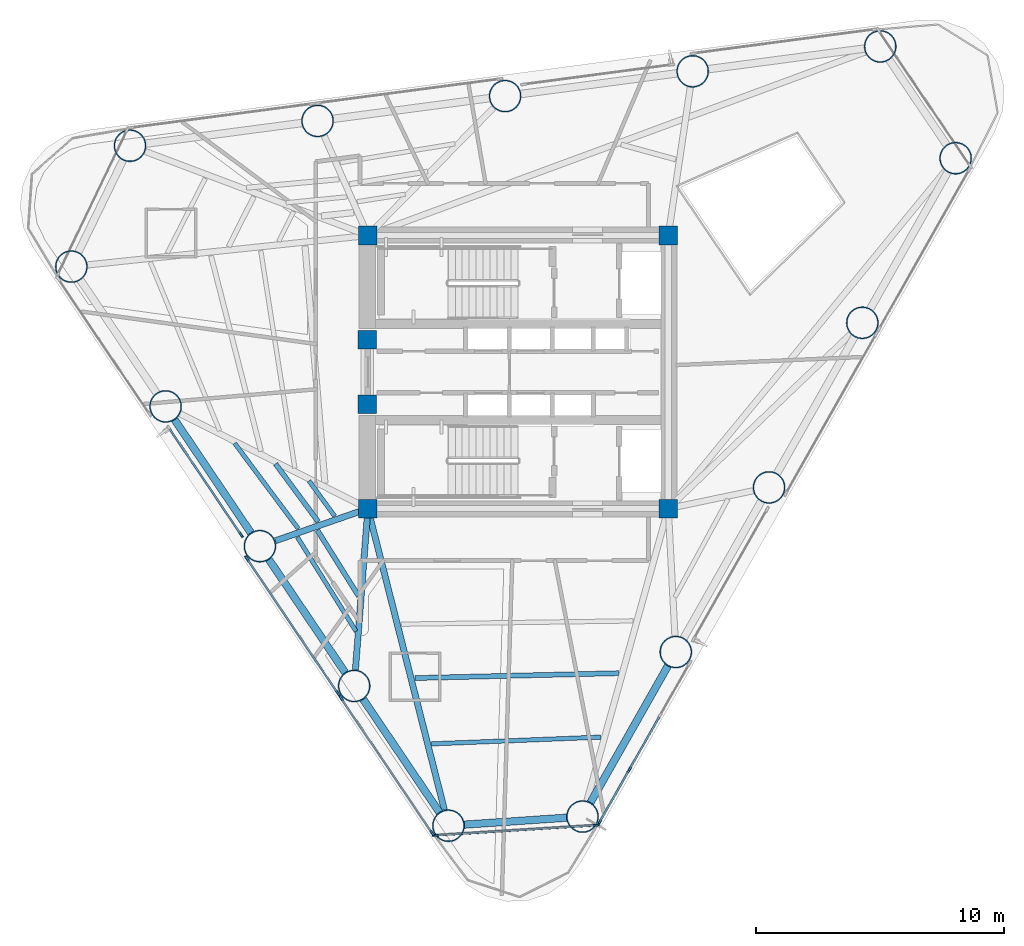
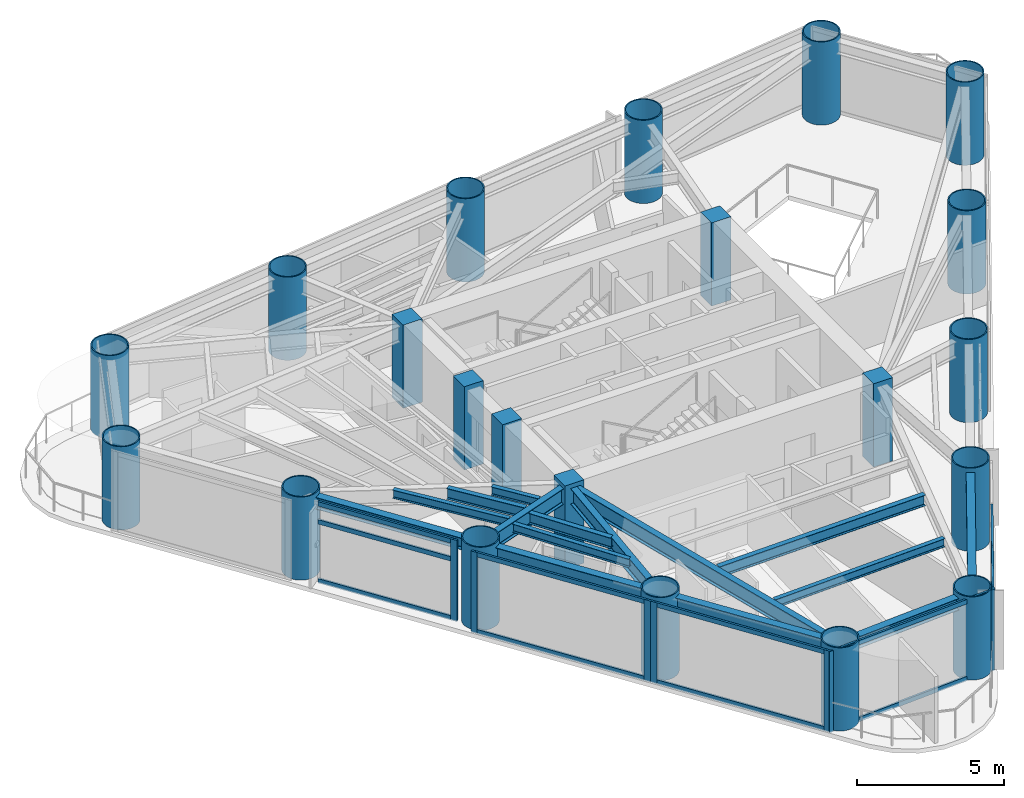
# One storey, part 1 of 9: 24 members, 21 columns, 15 beams, 5 elements without a shape of their own.
"""IFC4 building model written with IfcOpenShell, lengths in metres."""

from ifc_helpers import new_model, si_unit, direction, frame, origin, origin_2d, place, context, subcontext, project, spatial, rectangle, hollow_circle, i_section, extrude, source, transform, mapped, material, layer, layer_set, material_profile, profile_set, type_object, element, aggregate, save


model = new_model("IFC4")

# Units and contexts
model_context = context("Model", 3, precision=1e-05, world=origin(), true_north=direction((0.0, 1.0)))
body_context = subcontext(model_context, "Body", "Model", "MODEL_VIEW")
ifc_project = project(units=[si_unit("LENGTHUNIT", "METRE"), si_unit("AREAUNIT", "SQUARE_METRE"), si_unit("VOLUMEUNIT", "CUBIC_METRE"), si_unit("PLANEANGLEUNIT", "RADIAN"), si_unit("MASSUNIT", "GRAM", prefix="KILO")], contexts=[model_context])

# Site, building, storey
site_placement = place(None, origin())
site = spatial("IfcSite", under=ifc_project, at=site_placement, CompositionType="ELEMENT")
building_placement = place(site_placement, origin())
building = spatial("IfcBuilding", under=site, at=building_placement, Name="Yunling Apex Tower", CompositionType="ELEMENT")
storey_placement = place(building_placement, frame((0.0, 0.0, 179.449951171875)))
storey = spatial("IfcBuildingStorey", under=building, at=storey_placement, Name="L44", CompositionType="ELEMENT", Elevation=179.449951171875)

# Columns
ifc_material_1 = material(Name="Concrete C50", Category="concrete")
ifc_material_profile_1 = material_profile(ifc_material_1, rectangle(XDim=0.75, YDim=0.75, at=origin_2d()))
ifc_profile_set_1 = profile_set([ifc_material_profile_1], Name="Concrete C50")
column_type_1 = type_object("IfcColumnType", Name="PC-SRC-4", PredefinedType="COLUMN", material=ifc_profile_set_1)
shared_shape_1 = source(origin(), body_context, "Body", "SweptSolid", [
    extrude(rectangle(XDim=0.75, YDim=0.75, at=origin_2d()), origin(), (0.0, 0.0, 1.0), 3.449951171875),
])
for number, where, z_axis, x_axis, name in (
    (1, (-6.050048828125, -5.5, 0.0), (0.0, 0.0, 1.0), (1.0, 0.0, 0.0), "L44 Core Spine Column CC-SW"),
    (2, (6.050048828125, -5.5, 0.0), (0.0, 0.0, 1.0), (1.0, 0.0, 0.0), "L44 Core Spine Column CC-SE"),
    (3, (6.050048828125, 5.5, 0.0), (0.0, 0.0, 1.0), (1.0, 0.0, 0.0), "L44 Core Spine Column CC-NE"),
    (4, (-6.050048828125, 5.5, 0.0), (0.0, 0.0, 1.0), (1.0, 0.0, 0.0), "L44 Core Spine Column CC-NW"),
    (5, (-6.074951171875, -1.300048828125, 0.0), (0.0, 0.0, 1.0), (1.0, 0.0, 0.0), "L44 Core West Portal Jamb Column S"),
    (6, (-6.074951171875, 1.300048828125, 0.0), (0.0, 0.0, 1.0), (1.0, 0.0, 0.0), "L44 Core West Portal Jamb Column N"),
):
    element("IfcColumn", number, at=place(storey_placement, frame(where, z_axis=z_axis, x_axis=x_axis)), inside=storey, type_object=column_type_1, Name=name, PredefinedType="COLUMN", context=body_context, shape_type="MappedRepresentation", body=[
        mapped(shared_shape_1, transform((0.0, 0.0, 0.0), scale=1.0)),
    ])
ifc_material_2 = material(Name="Steel Q390GJC", Category="steel")
ifc_material_profile_2 = material_profile(ifc_material_2, hollow_circle(Radius=0.64990234375, WallThickness=0.044921875, at=origin_2d()))
ifc_profile_set_2 = profile_set([ifc_material_profile_2], Name="Steel Q390GJC")
column_type_2 = type_object("IfcColumnType", Name="MC-CFST-3", PredefinedType="COLUMN", material=ifc_profile_set_2)
shared_shape_2 = source(origin(), body_context, "Body", "SweptSolid", [
    extrude(hollow_circle(Radius=0.64990234375, WallThickness=0.044921875, at=origin_2d()), origin(), (0.0, 0.0, 1.0), 3.449951171875),
])
for number, where, z_axis, x_axis, name in (
    (7, (2.5947265625, -17.907958984375, 0.0), (0.0, 0.0, 1.0), (1.0, 0.0, 0.0), "L44 Perimeter CFST Mega-Column P01"),
    (8, (6.351806640625, -11.27783203125, 0.0), (0.0, 0.0, 1.0), (1.0, 0.0, 0.0), "L44 Perimeter CFST Mega-Column P02"),
    (9, (10.109130859375, -4.64794921875, 0.0), (0.0, 0.0, 1.0), (1.0, 0.0, 0.0), "L44 Perimeter CFST Mega-Column P03"),
    (10, (13.8662109375, 1.982177734375, 0.0), (0.0, 0.0, 1.0), (1.0, 0.0, 0.0), "L44 Perimeter CFST Mega-Column P04"),
    (11, (17.62353515625, 8.612060546875, 0.0), (0.0, 0.0, 1.0), (1.0, 0.0, 0.0), "L44 Perimeter CFST Mega-Column P05"),
    (12, (14.5869140625, 13.114013671875, 0.0), (0.0, 0.0, 1.0), (1.0, 0.0, 0.0), "L44 Perimeter CFST Mega-Column P06"),
    (13, (7.0322265625, 12.114013671875, 0.0), (0.0, 0.0, 1.0), (1.0, 0.0, 0.0), "L44 Perimeter CFST Mega-Column P07"),
    (14, (-0.5224609375, 11.114013671875, 0.0), (0.0, 0.0, 1.0), (1.0, 0.0, 0.0), "L44 Perimeter CFST Mega-Column P08"),
    (15, (-8.0771484375, 10.1142578125, 0.0), (0.0, 0.0, 1.0), (1.0, 0.0, 0.0), "L44 Perimeter CFST Mega-Column P09"),
    (16, (-15.6318359375, 9.1142578125, 0.0), (0.0, 0.0, 1.0), (1.0, 0.0, 0.0), "L44 Perimeter CFST Mega-Column P10"),
    (17, (-17.9951171875, 4.2451171875, 0.0), (0.0, 0.0, 1.0), (1.0, 0.0, 0.0), "L44 Perimeter CFST Mega-Column P11"),
    (18, (-14.197509765625, -1.384765625, 0.0), (0.0, 0.0, 1.0), (1.0, 0.0, 0.0), "L44 Perimeter CFST Mega-Column P12"),
    (19, (-10.39990234375, -7.014892578125, 0.0), (0.0, 0.0, 1.0), (1.0, 0.0, 0.0), "L44 Perimeter CFST Mega-Column P13"),
    (20, (-6.6025390625, -12.64501953125, 0.0), (0.0, 0.0, 1.0), (1.0, 0.0, 0.0), "L44 Perimeter CFST Mega-Column P14"),
    (21, (-2.804931640625, -18.27490234375, 0.0), (0.0, 0.0, 1.0), (1.0, 0.0, 0.0), "L44 Perimeter CFST Mega-Column P15"),
):
    element("IfcColumn", number, at=place(storey_placement, frame(where, z_axis=z_axis, x_axis=x_axis)), inside=storey, type_object=column_type_2, Name=name, PredefinedType="COLUMN", context=body_context, shape_type="MappedRepresentation", body=[
        mapped(shared_shape_2, transform((0.0, 0.0, 0.0), scale=1.0)),
    ])

# Beams
ifc_material_3 = material(Name="Steel Q355B", Category="steel")
ifc_material_profile_3 = material_profile(ifc_material_3, i_section(OverallWidth=0.300048828125, OverallDepth=0.489990234375, WebThickness=0.010986328125, FlangeThickness=0.01806640625, FilletRadius=0.02197265625, at=origin_2d()))
ifc_profile_set_3 = profile_set([ifc_material_profile_3], Name="Steel Q355B")
beam_type_1 = type_object("IfcBeamType", Name="BP-SPN-2", PredefinedType="SPANDREL", material=ifc_profile_set_3)
shared_shape_3 = source(origin(), body_context, "Body", "SweptSolid", [
    extrude(i_section(OverallWidth=0.300048828125, OverallDepth=0.489990234375, WebThickness=0.010986328125, FlangeThickness=0.01806640625, FilletRadius=0.02197265625, at=origin_2d()), origin(), (0.0, 0.0, 1.0), 6.332763671875),
])
beam_1_placement = place(storey_placement, frame((2.912109375, -17.34765625, 3.025146484375), z_axis=(0.493042725972, 0.870005097897, 0.0), x_axis=(-0.870005097897, 0.493042725972, 0.0)))
element("IfcBeam", 22, at=beam_1_placement, inside=storey, type_object=beam_type_1, Name="L44 Perimeter Spandrel Beam 1", PredefinedType="SPANDREL", context=body_context, shape_type="MappedRepresentation", body=[
    mapped(shared_shape_3, transform((0.0, 0.0, 0.0), scale=1.0)),
])
shared_shape_4 = source(origin(), body_context, "Body", "SweptSolid", [
    extrude(i_section(OverallWidth=0.300048828125, OverallDepth=0.489990234375, WebThickness=0.010986328125, FlangeThickness=0.01806640625, FilletRadius=0.02197265625, at=origin_2d()), origin(), (0.0, 0.0, 1.0), 5.5029296875),
])
beam_2_placement = place(storey_placement, frame((-10.039794921875, -7.548828125, 3.025146484375), z_axis=(0.559176417619, -0.829048692164, 0.0), x_axis=(0.829048692164, 0.559176417619, 0.0)))
element("IfcBeam", 23, at=beam_2_placement, inside=storey, type_object=beam_type_1, Name="L44 Perimeter Spandrel Beam 13", PredefinedType="SPANDREL", context=body_context, shape_type="MappedRepresentation", body=[
    mapped(shared_shape_4, transform((0.0, 0.0, 0.0), scale=1.0)),
])
shared_shape_5 = source(origin(), body_context, "Body", "SweptSolid", [
    extrude(i_section(OverallWidth=0.300048828125, OverallDepth=0.489990234375, WebThickness=0.010986328125, FlangeThickness=0.01806640625, FilletRadius=0.02197265625, at=origin_2d()), origin(), (0.0, 0.0, 1.0), 5.503173828125),
])
beam_3_placement = place(storey_placement, frame((-13.83740234375, -1.918701171875, 3.025146484375), z_axis=(0.55920690951, -0.82902812519, 0.0), x_axis=(0.82902812519, 0.55920690951, 0.0)))
element("IfcBeam", 24, at=beam_3_placement, inside=storey, type_object=beam_type_1, Name="L44 Perimeter Spandrel Beam 12", PredefinedType="SPANDREL", context=body_context, shape_type="MappedRepresentation", body=[
    mapped(shared_shape_5, transform((0.0, 0.0, 0.0), scale=1.0)),
])
shared_shape_6 = source(origin(), body_context, "Body", "SweptSolid", [
    extrude(i_section(OverallWidth=0.300048828125, OverallDepth=0.489990234375, WebThickness=0.010986328125, FlangeThickness=0.01806640625, FilletRadius=0.02197265625, at=origin_2d()), origin(), (0.0, 0.0, 1.0), 5.50341796875),
])
beam_4_placement = place(storey_placement, frame((-6.242431640625, -13.1787109375, 3.025146484375), z_axis=(0.55918634307, -0.829041997564, 0.0), x_axis=(0.829041997564, 0.55918634307, 0.0)))
element("IfcBeam", 25, at=beam_4_placement, inside=storey, type_object=beam_type_1, Name="L44 Perimeter Spandrel Beam 14", PredefinedType="SPANDREL", context=body_context, shape_type="MappedRepresentation", body=[
    mapped(shared_shape_6, transform((0.0, 0.0, 0.0), scale=1.0)),
])
shared_shape_7 = source(origin(), body_context, "Body", "SweptSolid", [
    extrude(i_section(OverallWidth=0.300048828125, OverallDepth=0.489990234375, WebThickness=0.010986328125, FlangeThickness=0.01806640625, FilletRadius=0.02197265625, at=origin_2d()), origin(), (0.0, 0.0, 1.0), 4.124267578125),
])
beam_5_placement = place(storey_placement, frame((-2.16259765625, -18.231201171875, 3.025146484375), z_axis=(0.997700280582, 0.067780160274, 0.0), x_axis=(-0.067780160274, 0.997700280582, 0.0)))
element("IfcBeam", 26, at=beam_5_placement, inside=storey, type_object=beam_type_1, Name="L44 Perimeter Spandrel Beam 15", PredefinedType="SPANDREL", context=body_context, shape_type="MappedRepresentation", body=[
    mapped(shared_shape_7, transform((0.0, 0.0, 0.0), scale=1.0)),
])
ifc_material_profile_4 = material_profile(ifc_material_3, i_section(OverallWidth=0.25, OverallDepth=0.64990234375, WebThickness=0.011962890625, FlangeThickness=0.02001953125, FilletRadius=0.02392578125, at=origin_2d()))
ifc_profile_set_4 = profile_set([ifc_material_profile_4], Name="Steel Q355B")
beam_type_2 = type_object("IfcBeamType", Name="BG-PRI-4", PredefinedType="USERDEFINED", material=ifc_profile_set_4)
shared_shape_8 = source(origin(), body_context, "Body", "SweptSolid", [
    extrude(i_section(OverallWidth=0.25, OverallDepth=0.64990234375, WebThickness=0.011962890625, FlangeThickness=0.02001953125, FilletRadius=0.02392578125, at=origin_2d()), origin(), (0.0, 0.0, 1.0), 3.8681640625),
])
beam_6_placement = place(storey_placement, frame((-9.778564453125, -6.798583984375, 2.945068359375), z_axis=(0.944369860351, 0.328885339991, 0.0), x_axis=(-0.328885339991, 0.944369860351, 0.0)))
element("IfcBeam", 27, at=beam_6_placement, inside=storey, type_object=beam_type_2, Name="L44 Radial Primary Girder R13", ObjectType="GIRDER", PredefinedType="USERDEFINED", context=body_context, shape_type="MappedRepresentation", body=[
    mapped(shared_shape_8, transform((0.0, 0.0, 0.0), scale=1.0)),
])
shared_shape_9 = source(origin(), body_context, "Body", "SweptSolid", [
    extrude(i_section(OverallWidth=0.25, OverallDepth=0.64990234375, WebThickness=0.011962890625, FlangeThickness=0.02001953125, FilletRadius=0.02392578125, at=origin_2d()), origin(), (0.0, 0.0, 1.0), 6.42822265625),
])
beam_7_placement = place(storey_placement, frame((-6.5517578125, -11.989013671875, 2.945068359375), z_axis=(0.077097282386, 0.997023574971, 0.0), x_axis=(-0.997023574971, 0.077097282386, 0.0)))
element("IfcBeam", 28, at=beam_7_placement, inside=storey, type_object=beam_type_2, Name="L44 Radial Primary Girder R14", ObjectType="GIRDER", PredefinedType="USERDEFINED", context=body_context, shape_type="MappedRepresentation", body=[
    mapped(shared_shape_9, transform((0.0, 0.0, 0.0), scale=1.0)),
])
shared_shape_10 = source(origin(), body_context, "Body", "SweptSolid", [
    extrude(i_section(OverallWidth=0.25, OverallDepth=0.64990234375, WebThickness=0.011962890625, FlangeThickness=0.02001953125, FilletRadius=0.02392578125, at=origin_2d()), origin(), (0.0, 0.0, 1.0), 12.44287109375),
])
beam_8_placement = place(storey_placement, frame((-2.967041015625, -17.63720703125, 2.945068359375), z_axis=(-0.246185736667, 0.969222669494, 0.0), x_axis=(-0.969222669494, -0.246185736667, 0.0)))
element("IfcBeam", 29, at=beam_8_placement, inside=storey, type_object=beam_type_2, Name="L44 Radial Primary Girder R15", ObjectType="GIRDER", PredefinedType="USERDEFINED", context=body_context, shape_type="MappedRepresentation", body=[
    mapped(shared_shape_10, transform((0.0, 0.0, 0.0), scale=1.0)),
])
ifc_material_profile_5 = material_profile(ifc_material_3, i_section(OverallWidth=0.199951171875, OverallDepth=0.449951171875, WebThickness=0.009033203125, FlangeThickness=0.013916015625, FilletRadius=0.01806640625, at=origin_2d()))
ifc_profile_set_5 = profile_set([ifc_material_profile_5], Name="Steel Q355B")
beam_type_3 = type_object("IfcBeamType", Name="BS-SEC-3", PredefinedType="BEAM", material=ifc_profile_set_5)
shared_shape_11 = source(origin(), body_context, "Body", "SweptSolid", [
    extrude(i_section(OverallWidth=0.199951171875, OverallDepth=0.449951171875, WebThickness=0.009033203125, FlangeThickness=0.013916015625, FilletRadius=0.01806640625, at=origin_2d()), origin(), (0.0, 0.0, 1.0), 2.900146484375),
])
beam_9_placement = place(storey_placement, frame((-9.770751953125, -3.701416015625, 3.045166015625), z_axis=(0.594341352087, -0.804212880523, 0.0), x_axis=(0.804212880523, 0.594341352087, 0.0)))
element("IfcBeam", 30, at=beam_9_placement, inside=storey, type_object=beam_type_3, Name="L44 Composite Floor Beam BS-12", PredefinedType="BEAM", context=body_context, shape_type="MappedRepresentation", body=[
    mapped(shared_shape_11, transform((0.0, 0.0, 0.0), scale=1.0)),
])
ifc_material_profile_6 = material_profile(ifc_material_3, i_section(OverallWidth=0.175048828125, OverallDepth=0.35009765625, WebThickness=0.007080078125, FlangeThickness=0.010986328125, FilletRadius=0.013916015625, at=origin_2d()))
ifc_profile_set_6 = profile_set([ifc_material_profile_6], Name="Steel Q355B")
beam_type_4 = type_object("IfcBeamType", Name="BJ-JST-1", PredefinedType="JOIST", material=ifc_profile_set_6)
shared_shape_12 = source(origin(), body_context, "Body", "SweptSolid", [
    extrude(i_section(OverallWidth=0.175048828125, OverallDepth=0.35009765625, WebThickness=0.007080078125, FlangeThickness=0.010986328125, FilletRadius=0.013916015625, at=origin_2d()), origin(), (0.0, 0.0, 1.0), 4.2958984375),
])
beam_10_placement = place(storey_placement, frame((-11.417724609375, -2.868896484375, 3.094970703125), z_axis=(0.597405367493, -0.801939415972, 0.0), x_axis=(0.801939415972, 0.597405367493, 0.0)))
element("IfcBeam", 31, at=beam_10_placement, inside=storey, type_object=beam_type_4, Name="L44 Composite Floor Joist BJ1-12", PredefinedType="JOIST", context=body_context, shape_type="MappedRepresentation", body=[
    mapped(shared_shape_12, transform((0.0, 0.0, 0.0), scale=1.0)),
])
shared_shape_13 = source(origin(), body_context, "Body", "SweptSolid", [
    extrude(i_section(OverallWidth=0.175048828125, OverallDepth=0.35009765625, WebThickness=0.007080078125, FlangeThickness=0.010986328125, FilletRadius=0.013916015625, at=origin_2d()), origin(), (0.0, 0.0, 1.0), 1.75830078125),
])
beam_11_placement = place(storey_placement, frame((-8.423583984375, -4.3828125, 3.094970703125), z_axis=(0.58860919459, -0.808417723732, 0.0), x_axis=(0.808417723732, 0.58860919459, 0.0)))
element("IfcBeam", 32, at=beam_11_placement, inside=storey, type_object=beam_type_4, Name="L44 Composite Floor Joist BJ3-12", PredefinedType="JOIST", context=body_context, shape_type="MappedRepresentation", body=[
    mapped(shared_shape_13, transform((0.0, 0.0, 0.0), scale=1.0)),
])
shared_shape_14 = source(origin(), body_context, "Body", "SweptSolid", [
    extrude(i_section(OverallWidth=0.199951171875, OverallDepth=0.449951171875, WebThickness=0.009033203125, FlangeThickness=0.013916015625, FilletRadius=0.01806640625, at=origin_2d()), origin(), (0.0, 0.0, 1.0), 3.138427734375),
])
beam_12_placement = place(storey_placement, frame((-8.086181640625, -6.374267578125, 3.045166015625), z_axis=(0.531291876234, -0.847188846862, 0.0), x_axis=(0.847188846862, 0.531291876234, 0.0)))
element("IfcBeam", 33, at=beam_12_placement, inside=storey, type_object=beam_type_3, Name="L44 Composite Floor Beam BS-13", PredefinedType="BEAM", context=body_context, shape_type="MappedRepresentation", body=[
    mapped(shared_shape_14, transform((0.0, 0.0, 0.0), scale=1.0)),
])
shared_shape_15 = source(origin(), body_context, "Body", "SweptSolid", [
    extrude(i_section(OverallWidth=0.175048828125, OverallDepth=0.35009765625, WebThickness=0.007080078125, FlangeThickness=0.010986328125, FilletRadius=0.013916015625, at=origin_2d()), origin(), (0.0, 0.0, 1.0), 4.46533203125),
])
beam_13_placement = place(storey_placement, frame((-8.890380859375, -6.654296875, 3.094970703125), z_axis=(0.529197625192, -0.848498599581, 0.0), x_axis=(0.848498599581, 0.529197625192, 0.0)))
element("IfcBeam", 34, at=beam_13_placement, inside=storey, type_object=beam_type_4, Name="L44 Composite Floor Joist BJ1-13", PredefinedType="JOIST", context=body_context, shape_type="MappedRepresentation", body=[
    mapped(shared_shape_15, transform((0.0, 0.0, 0.0), scale=1.0)),
])
shared_shape_16 = source(origin(), body_context, "Body", "SweptSolid", [
    extrude(i_section(OverallWidth=0.199951171875, OverallDepth=0.449951171875, WebThickness=0.009033203125, FlangeThickness=0.013916015625, FilletRadius=0.01806640625, at=origin_2d()), origin(), (0.0, 0.0, 1.0), 8.20166015625),
])
beam_14_placement = place(storey_placement, frame((-4.15478515625, -12.3271484375, 3.045166015625), z_axis=(0.999714273785, 0.023903363562, 0.0), x_axis=(-0.023903363562, 0.999714273785, 0.0)))
element("IfcBeam", 35, at=beam_14_placement, inside=storey, type_object=beam_type_3, Name="L44 Composite Floor Beam BS-15", PredefinedType="BEAM", context=body_context, shape_type="MappedRepresentation", body=[
    mapped(shared_shape_16, transform((0.0, 0.0, 0.0), scale=1.0)),
])
shared_shape_17 = source(origin(), body_context, "Body", "SweptSolid", [
    extrude(i_section(OverallWidth=0.175048828125, OverallDepth=0.35009765625, WebThickness=0.007080078125, FlangeThickness=0.010986328125, FilletRadius=0.013916015625, at=origin_2d()), origin(), (0.0, 0.0, 1.0), 6.814453125),
])
beam_15_placement = place(storey_placement, frame((-3.481201171875, -14.977783203125, 3.094970703125), z_axis=(0.999210374008, 0.039731957862, 0.0), x_axis=(-0.039731957862, 0.999210374008, 0.0)))
element("IfcBeam", 36, at=beam_15_placement, inside=storey, type_object=beam_type_4, Name="L44 Composite Floor Joist BJ1-15", PredefinedType="JOIST", context=body_context, shape_type="MappedRepresentation", body=[
    mapped(shared_shape_17, transform((0.0, 0.0, 0.0), scale=1.0)),
])

# Curtain wall, members
ifc_material_4 = material(Name="Bronze anodised aluminium", Category="aluminium")
ifc_layer = layer(ifc_material_4, 0.239990234375)
ifc_layer_set = layer_set([ifc_layer], Name="Bronze anodised aluminium")
curtain_wall_type = type_object("IfcCurtainWallType", Name="CW-SYS-3", PredefinedType="NOTDEFINED", material=ifc_layer_set)
curtain_wall_1_placement = place(storey_placement, origin())
curtain_wall_1 = element("IfcCurtainWall", 37, at=curtain_wall_1_placement, inside=storey, type_object=curtain_wall_type, Name="CW-L44-F1-B1", PredefinedType="NOTDEFINED")
ifc_material_profile_7 = material_profile(ifc_material_4, rectangle(XDim=0.080078125, YDim=0.239990234375, at=origin_2d()))
ifc_profile_set_7 = profile_set([ifc_material_profile_7], Name="Bronze anodised aluminium")
member_type_1 = type_object("IfcMemberType", Name="CW-MUL-3", PredefinedType="MULLION", material=ifc_profile_set_7)
shared_shape_18 = source(origin(), body_context, "Body", "SweptSolid", [
    extrude(rectangle(XDim=0.080078125, YDim=0.239990234375, at=origin_2d()), origin(), (0.0, 0.0, 1.0), 3.3701171875),
])
member_1_placement = place(storey_placement, frame((3.271484375, -18.153564453125, -0.050048828125), z_axis=(0.0, 0.0, 1.0), x_axis=(-0.870006087438, 0.493040979859, 0.0)))
member_1 = element("IfcMember", 38, at=member_1_placement, type_object=member_type_1, Name="CW-SYS-3 mullion 1", PredefinedType="MULLION", context=body_context, shape_type="MappedRepresentation", body=[
    mapped(shared_shape_18, transform((0.0, 0.0, 0.0), scale=1.0)),
])
member_2_placement = place(storey_placement, frame((4.47802734375, -16.02490234375, -0.050048828125), z_axis=(0.0, 0.0, 1.0), x_axis=(-0.870006087438, 0.493040979859, 0.0)))
member_2 = element("IfcMember", 39, at=member_2_placement, type_object=member_type_1, Name="CW-SYS-3 mullion 2", PredefinedType="MULLION", context=body_context, shape_type="MappedRepresentation", body=[
    mapped(shared_shape_18, transform((0.0, 0.0, 0.0), scale=1.0)),
])

# Curtain wall, member
curtain_wall_2_placement = place(storey_placement, origin())
curtain_wall_2 = element("IfcCurtainWall", 40, at=curtain_wall_2_placement, inside=storey, type_object=curtain_wall_type, Name="CW-L44-F3-B2", PredefinedType="NOTDEFINED")
member_3_placement = place(storey_placement, frame((-11.15966796875, -6.55029296875, -0.050048828125), z_axis=(0.0, 0.0, 1.0), x_axis=(0.829026137089, 0.559209856873, 0.0)))
member_3 = element("IfcMember", 41, at=member_3_placement, type_object=member_type_1, Name="CW-SYS-3 mullion 2", PredefinedType="MULLION", context=body_context, shape_type="MappedRepresentation", body=[
    mapped(shared_shape_18, transform((0.0, 0.0, 0.0), scale=1.0)),
])

# Curtain wall, members
curtain_wall_3_placement = place(storey_placement, origin())
curtain_wall_3 = element("IfcCurtainWall", 42, at=curtain_wall_3_placement, inside=storey, type_object=curtain_wall_type, Name="CW-L44-F3-B3", PredefinedType="NOTDEFINED")
member_4_placement = place(storey_placement, frame((-10.921630859375, -7.511474609375, -0.050048828125), z_axis=(0.0, 0.0, 1.0), x_axis=(0.829040587205, 0.559188434042, 0.0)))
member_4 = element("IfcMember", 43, at=member_4_placement, type_object=member_type_1, Name="CW-SYS-3 mullion 1", PredefinedType="MULLION", context=body_context, shape_type="MappedRepresentation", body=[
    mapped(shared_shape_18, transform((0.0, 0.0, 0.0), scale=1.0)),
])
member_5_placement = place(storey_placement, frame((-7.25830078125, -12.9423828125, -0.050048828125), z_axis=(0.0, 0.0, 1.0), x_axis=(0.829040587205, 0.559188434042, 0.0)))
member_5 = element("IfcMember", 44, at=member_5_placement, type_object=member_type_1, Name="CW-SYS-3 mullion 2", PredefinedType="MULLION", context=body_context, shape_type="MappedRepresentation", body=[
    mapped(shared_shape_18, transform((0.0, 0.0, 0.0), scale=1.0)),
])

curtain_wall_4_placement = place(storey_placement, origin())
curtain_wall_4 = element("IfcCurtainWall", 45, at=curtain_wall_4_placement, inside=storey, type_object=curtain_wall_type, Name="CW-L44-F3-B4", PredefinedType="NOTDEFINED")
member_6_placement = place(storey_placement, frame((-7.1240234375, -13.141357421875, -0.050048828125), z_axis=(0.0, 0.0, 1.0), x_axis=(0.829045302692, 0.559181442901, 0.0)))
member_6 = element("IfcMember", 46, at=member_6_placement, type_object=member_type_1, Name="CW-SYS-3 mullion 1", PredefinedType="MULLION", context=body_context, shape_type="MappedRepresentation", body=[
    mapped(shared_shape_18, transform((0.0, 0.0, 0.0), scale=1.0)),
])
member_7_placement = place(storey_placement, frame((-3.460693359375, -18.572509765625, -0.050048828125), z_axis=(0.0, 0.0, 1.0), x_axis=(0.829045302692, 0.559181442901, 0.0)))
member_7 = element("IfcMember", 47, at=member_7_placement, type_object=member_type_1, Name="CW-SYS-3 mullion 2", PredefinedType="MULLION", context=body_context, shape_type="MappedRepresentation", body=[
    mapped(shared_shape_18, transform((0.0, 0.0, 0.0), scale=1.0)),
])

curtain_wall_5_placement = place(storey_placement, origin())
curtain_wall_5 = element("IfcCurtainWall", 48, at=curtain_wall_5_placement, inside=storey, type_object=curtain_wall_type, Name="CW-L44-CRN3", PredefinedType="NOTDEFINED")
member_8_placement = place(storey_placement, frame((-3.337158203125, -18.658203125, -0.050048828125), z_axis=(0.0, 0.0, 1.0), x_axis=(-0.062672311308, 0.998034158431, 0.0)))
member_8 = element("IfcMember", 49, at=member_8_placement, type_object=member_type_1, Name="CW-SYS-3 mullion 1", PredefinedType="MULLION", context=body_context, shape_type="MappedRepresentation", body=[
    mapped(shared_shape_18, transform((0.0, 0.0, 0.0), scale=1.0)),
])
member_9_placement = place(storey_placement, frame((3.155029296875, -18.25048828125, -0.050048828125), z_axis=(0.0, 0.0, 1.0), x_axis=(-0.062672311308, 0.998034158431, 0.0)))
member_9 = element("IfcMember", 50, at=member_9_placement, type_object=member_type_1, Name="CW-SYS-3 mullion 2", PredefinedType="MULLION", context=body_context, shape_type="MappedRepresentation", body=[
    mapped(shared_shape_18, transform((0.0, 0.0, 0.0), scale=1.0)),
])

# Member
ifc_material_profile_8 = material_profile(ifc_material_4, rectangle(XDim=0.080078125, YDim=0.18505859375, at=origin_2d()))
ifc_profile_set_8 = profile_set([ifc_material_profile_8], Name="Bronze anodised aluminium")
member_type_2 = type_object("IfcMemberType", Name="CW-TRN-3", PredefinedType="USERDEFINED", material=ifc_profile_set_8)
shared_shape_19 = source(origin(), body_context, "Body", "SweptSolid", [
    extrude(rectangle(XDim=0.080078125, YDim=0.18505859375, at=origin_2d()), origin(), (0.0, 0.0, 1.0), 2.374755859375),
])
member_10_placement = place(storey_placement, frame((3.289306640625, -18.122314453125, 0.0400390625), z_axis=(0.493035916127, 0.870008957085, 0.0), x_axis=(-0.870008957085, 0.493035916127, 0.0)))
member_10 = element("IfcMember", 51, at=member_10_placement, type_object=member_type_2, Name="CW-SYS-3 transom 1.1", ObjectType="TRANSOM", PredefinedType="USERDEFINED", context=body_context, shape_type="MappedRepresentation", body=[
    mapped(shared_shape_19, transform((0.0, 0.0, 0.0), scale=1.0)),
])

member_11_placement = place(storey_placement, frame((3.289306640625, -18.122314453125, 2.4853515625), z_axis=(0.493035916127, 0.870008957085, 0.0), x_axis=(-0.870008957085, 0.493035916127, 0.0)))
member_11 = element("IfcMember", 52, at=member_11_placement, type_object=member_type_2, Name="CW-SYS-3 transom 1.2", ObjectType="TRANSOM", PredefinedType="USERDEFINED", context=body_context, shape_type="MappedRepresentation", body=[
    mapped(shared_shape_19, transform((0.0, 0.0, 0.0), scale=1.0)),
])

member_12_placement = place(storey_placement, frame((3.289306640625, -18.122314453125, 3.22998046875), z_axis=(0.493035916127, 0.870008957085, 0.0), x_axis=(-0.870008957085, 0.493035916127, 0.0)))
member_12 = element("IfcMember", 53, at=member_12_placement, type_object=member_type_2, Name="CW-SYS-3 transom 1.3", ObjectType="TRANSOM", PredefinedType="USERDEFINED", context=body_context, shape_type="MappedRepresentation", body=[
    mapped(shared_shape_19, transform((0.0, 0.0, 0.0), scale=1.0)),
])

shared_shape_20 = source(origin(), body_context, "Body", "SweptSolid", [
    extrude(rectangle(XDim=0.080078125, YDim=0.18505859375, at=origin_2d()), origin(), (0.0, 0.0, 1.0), 2.414794921875),
])
member_13_placement = place(storey_placement, frame((4.49560546875, -15.993408203125, 0.0400390625), z_axis=(0.49307634424, 0.869986045147, 0.0), x_axis=(-0.869986045147, 0.49307634424, 0.0)))
member_13 = element("IfcMember", 54, at=member_13_placement, type_object=member_type_2, Name="CW-SYS-3 transom 2.1", ObjectType="TRANSOM", PredefinedType="USERDEFINED", context=body_context, shape_type="MappedRepresentation", body=[
    mapped(shared_shape_20, transform((0.0, 0.0, 0.0), scale=1.0)),
])

member_14_placement = place(storey_placement, frame((4.49560546875, -15.993408203125, 2.4853515625), z_axis=(0.49307634424, 0.869986045147, 0.0), x_axis=(-0.869986045147, 0.49307634424, 0.0)))
member_14 = element("IfcMember", 55, at=member_14_placement, type_object=member_type_2, Name="CW-SYS-3 transom 2.2", ObjectType="TRANSOM", PredefinedType="USERDEFINED", context=body_context, shape_type="MappedRepresentation", body=[
    mapped(shared_shape_20, transform((0.0, 0.0, 0.0), scale=1.0)),
])

member_15_placement = place(storey_placement, frame((4.49560546875, -15.993408203125, 3.22998046875), z_axis=(0.49307634424, 0.869986045147, 0.0), x_axis=(-0.869986045147, 0.49307634424, 0.0)))
member_15 = element("IfcMember", 56, at=member_15_placement, type_object=member_type_2, Name="CW-SYS-3 transom 2.3", ObjectType="TRANSOM", PredefinedType="USERDEFINED", context=body_context, shape_type="MappedRepresentation", body=[
    mapped(shared_shape_20, transform((0.0, 0.0, 0.0), scale=1.0)),
])

aggregate(curtain_wall_1, [member_1, member_2, member_10, member_11, member_12, member_13, member_14, member_15])

shared_shape_21 = source(origin(), body_context, "Body", "SweptSolid", [
    extrude(rectangle(XDim=0.080078125, YDim=0.18505859375, at=origin_2d()), origin(), (0.0, 0.0, 1.0), 6.43310546875),
])
member_16_placement = place(storey_placement, frame((-3.30126953125, -18.656005859375, 0.0400390625), z_axis=(0.998035114575, 0.062657083206, 0.0), x_axis=(-0.062657083206, 0.998035114575, 0.0)))
member_16 = element("IfcMember", 57, at=member_16_placement, type_object=member_type_2, Name="CW-SYS-3 transom 1.1", ObjectType="TRANSOM", PredefinedType="USERDEFINED", context=body_context, shape_type="MappedRepresentation", body=[
    mapped(shared_shape_21, transform((0.0, 0.0, 0.0), scale=1.0)),
])

member_17_placement = place(storey_placement, frame((-3.30126953125, -18.656005859375, 3.22998046875), z_axis=(0.998035114575, 0.062657083206, 0.0), x_axis=(-0.062657083206, 0.998035114575, 0.0)))
member_17 = element("IfcMember", 58, at=member_17_placement, type_object=member_type_2, Name="CW-SYS-3 transom 1.2", ObjectType="TRANSOM", PredefinedType="USERDEFINED", context=body_context, shape_type="MappedRepresentation", body=[
    mapped(shared_shape_21, transform((0.0, 0.0, 0.0), scale=1.0)),
])

aggregate(curtain_wall_5, [member_8, member_9, member_16, member_17])

shared_shape_22 = source(origin(), body_context, "Body", "SweptSolid", [
    extrude(rectangle(XDim=0.080078125, YDim=0.18505859375, at=origin_2d()), origin(), (0.0, 0.0, 1.0), 6.479248046875),
])
member_18_placement = place(storey_placement, frame((-7.10400390625, -13.171142578125, 0.0400390625), z_axis=(0.559179012054, -0.829046942265, 0.0), x_axis=(0.829046942265, 0.559179012054, 0.0)))
member_18 = element("IfcMember", 59, at=member_18_placement, type_object=member_type_2, Name="CW-SYS-3 transom 1.1", ObjectType="TRANSOM", PredefinedType="USERDEFINED", context=body_context, shape_type="MappedRepresentation", body=[
    mapped(shared_shape_22, transform((0.0, 0.0, 0.0), scale=1.0)),
])

member_19_placement = place(storey_placement, frame((-7.10400390625, -13.171142578125, 3.22998046875), z_axis=(0.559179012054, -0.829046942265, 0.0), x_axis=(0.829046942265, 0.559179012054, 0.0)))
member_19 = element("IfcMember", 60, at=member_19_placement, type_object=member_type_2, Name="CW-SYS-3 transom 1.2", ObjectType="TRANSOM", PredefinedType="USERDEFINED", context=body_context, shape_type="MappedRepresentation", body=[
    mapped(shared_shape_22, transform((0.0, 0.0, 0.0), scale=1.0)),
])

aggregate(curtain_wall_4, [member_6, member_7, member_18, member_19])

shared_shape_23 = source(origin(), body_context, "Body", "SweptSolid", [
    extrude(rectangle(XDim=0.080078125, YDim=0.18505859375, at=origin_2d()), origin(), (0.0, 0.0, 1.0), 5.09912109375),
])
member_20_placement = place(storey_placement, frame((-14.03125, -2.293212890625, 0.0400390625), z_axis=(0.559222026941, -0.829017927782, 0.0), x_axis=(0.829017927782, 0.559222026941, 0.0)))
member_20 = element("IfcMember", 61, at=member_20_placement, type_object=member_type_2, Name="CW-SYS-3 transom 1.1", ObjectType="TRANSOM", PredefinedType="USERDEFINED", context=body_context, shape_type="MappedRepresentation", body=[
    mapped(shared_shape_23, transform((0.0, 0.0, 0.0), scale=1.0)),
])

member_21_placement = place(storey_placement, frame((-14.03125, -2.293212890625, 2.4853515625), z_axis=(0.559222026941, -0.829017927782, 0.0), x_axis=(0.829017927782, 0.559222026941, 0.0)))
member_21 = element("IfcMember", 62, at=member_21_placement, type_object=member_type_2, Name="CW-SYS-3 transom 1.2", ObjectType="TRANSOM", PredefinedType="USERDEFINED", context=body_context, shape_type="MappedRepresentation", body=[
    mapped(shared_shape_23, transform((0.0, 0.0, 0.0), scale=1.0)),
])

member_22_placement = place(storey_placement, frame((-14.03125, -2.293212890625, 3.22998046875), z_axis=(0.559222026941, -0.829017927782, 0.0), x_axis=(0.829017927782, 0.559222026941, 0.0)))
member_22 = element("IfcMember", 63, at=member_22_placement, type_object=member_type_2, Name="CW-SYS-3 transom 1.3", ObjectType="TRANSOM", PredefinedType="USERDEFINED", context=body_context, shape_type="MappedRepresentation", body=[
    mapped(shared_shape_23, transform((0.0, 0.0, 0.0), scale=1.0)),
])

aggregate(curtain_wall_2, [member_3, member_20, member_21, member_22])

shared_shape_24 = source(origin(), body_context, "Body", "SweptSolid", [
    extrude(rectangle(XDim=0.080078125, YDim=0.18505859375, at=origin_2d()), origin(), (0.0, 0.0, 1.0), 6.47900390625),
])
member_23_placement = place(storey_placement, frame((-10.9013671875, -7.541259765625, 0.0400390625), z_axis=(0.559196480627, -0.829035159722, 0.0), x_axis=(0.829035159722, 0.559196480627, 0.0)))
member_23 = element("IfcMember", 64, at=member_23_placement, type_object=member_type_2, Name="CW-SYS-3 transom 1.1", ObjectType="TRANSOM", PredefinedType="USERDEFINED", context=body_context, shape_type="MappedRepresentation", body=[
    mapped(shared_shape_24, transform((0.0, 0.0, 0.0), scale=1.0)),
])

member_24_placement = place(storey_placement, frame((-10.9013671875, -7.541259765625, 3.22998046875), z_axis=(0.559196480627, -0.829035159722, 0.0), x_axis=(0.829035159722, 0.559196480627, 0.0)))
member_24 = element("IfcMember", 65, at=member_24_placement, type_object=member_type_2, Name="CW-SYS-3 transom 1.2", ObjectType="TRANSOM", PredefinedType="USERDEFINED", context=body_context, shape_type="MappedRepresentation", body=[
    mapped(shared_shape_24, transform((0.0, 0.0, 0.0), scale=1.0)),
])

aggregate(curtain_wall_3, [member_4, member_5, member_23, member_24])

save(model, "model.ifc")
